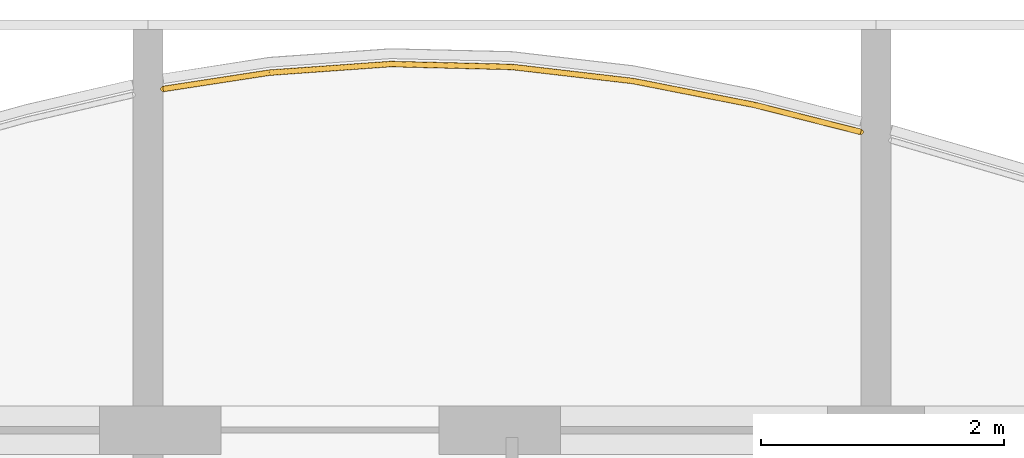
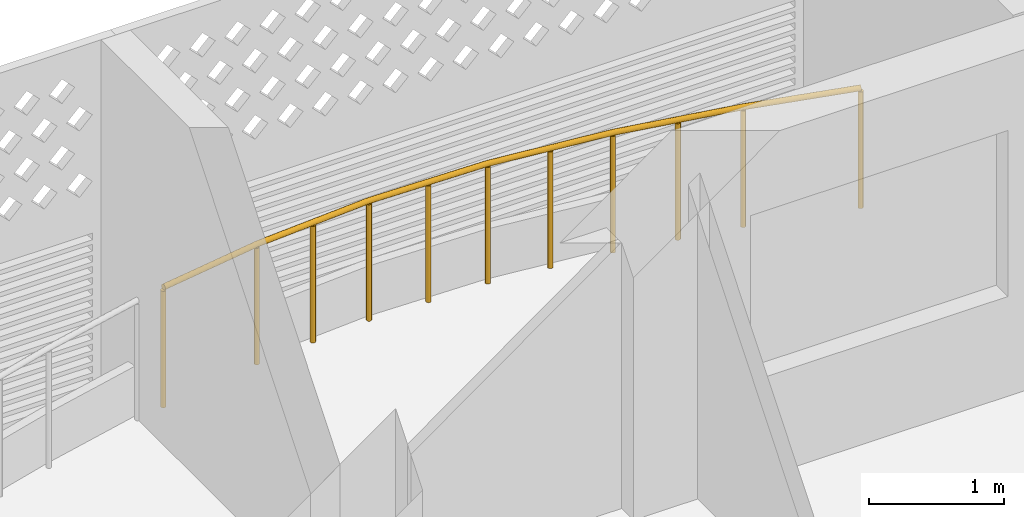
# One storey, part 25 of 28: 1 railing.
"""IFC4 building model written with IfcOpenShell, lengths in metres."""

from ifc_helpers import new_model, si_unit, direction, frame, origin, origin_2d, place, context, subcontext, project, spatial, circle, extrude, material, type_object, element, save


model = new_model("IFC4")

# Units and contexts
model_context = context("Model", 3, precision=1e-05, world=origin(), true_north=direction((0.0, 1.0)))
body_context = subcontext(model_context, "Body", "Model", "MODEL_VIEW")
ifc_project = project(units=[si_unit("LENGTHUNIT", "METRE"), si_unit("AREAUNIT", "SQUARE_METRE"), si_unit("VOLUMEUNIT", "CUBIC_METRE"), si_unit("PLANEANGLEUNIT", "RADIAN"), si_unit("MASSUNIT", "GRAM", prefix="KILO")], contexts=[model_context])

# Site, building, storey
site_placement = place(None, origin())
site = spatial("IfcSite", under=ifc_project, at=site_placement, CompositionType="ELEMENT")
building_placement = place(site_placement, origin())
building = spatial("IfcBuilding", under=site, at=building_placement, Name="Poui Terraces", CompositionType="ELEMENT")
storey_placement = place(building_placement, frame((0.0, 0.0, 181.800048828125)))
storey = spatial("IfcBuildingStorey", under=building, at=storey_placement, Name="L50", CompositionType="ELEMENT", Elevation=181.800048828125)

# Railing
ifc_material = material(Name="Painted steel fretwork", Category="steel")
railing_type = type_object("IfcRailingType", Name="BALCONY GUARD 1100", PredefinedType="GUARDRAIL", material=ifc_material)
railing_placement = place(storey_placement, frame((66.125, 44.011474609375, 0.0)))
element("IfcRailing", 1, at=railing_placement, inside=storey, type_object=railing_type, Name="BALCONY GUARD", PredefinedType="GUARDRAIL", context=body_context, shape_type="SweptSolid", body=[
    extrude(circle(Radius=0.02392578125, at=origin_2d()), frame((0.0, 0.0, 1.076171875), z_axis=(0.988387633133, 0.151953567482, 0.0), x_axis=(-0.151953567482, 0.988387633133, 0.0)), (0.0, 0.0, 1.0), 0.88525390625),
    extrude(circle(Radius=0.02392578125, at=origin_2d()), frame((0.875, 0.134521484375, 1.076171875), z_axis=(0.997485823051, 0.07086630237, 0.0), x_axis=(-0.07086630237, 0.997485823051, 0.0)), (0.0, 0.0, 1.0), 1.00244140625),
    extrude(circle(Radius=0.02392578125, at=origin_2d()), frame((1.875, 0.20556640625, 1.076171875), z_axis=(0.999713901321, -0.023918936116, 0.0), x_axis=(0.023918936116, 0.999713901321, 0.0)), (0.0, 0.0, 1.0), 1.000244140625),
    extrude(circle(Radius=0.02392578125, at=origin_2d()), frame((2.875, 0.181640625, 1.076171875), z_axis=(0.993315142472, -0.11543408394, 0.0), x_axis=(0.11543408394, 0.993315142472, 0.0)), (0.0, 0.0, 1.0), 1.0068359375),
    extrude(circle(Radius=0.02392578125, at=origin_2d()), frame((3.875, 0.0654296875, 1.076171875), z_axis=(0.981138637459, -0.19330539073, 0.0), x_axis=(0.19330539073, 0.981138637459, 0.0)), (0.0, 0.0, 1.0), 1.019287109375),
    extrude(circle(Radius=0.02392578125, at=origin_2d()), frame((4.875, -0.131591796875, 1.076171875), z_axis=(0.969245105532, -0.246097390076, 0.0), x_axis=(0.246097390076, 0.969245105532, 0.0)), (0.0, 0.0, 1.0), 0.90283203125),
    extrude(circle(Radius=0.02099609375, at=origin_2d()), origin(), (0.0, 0.0, 1.0), 1.052001953125),
    extrude(circle(Radius=0.02099609375, at=origin_2d()), frame((0.875, 0.134521484375, 0.0)), (0.0, 0.0, 1.0), 1.052001953125),
    extrude(circle(Radius=0.02099609375, at=origin_2d()), frame((1.375, 0.169921875, 0.0)), (0.0, 0.0, 1.0), 1.052001953125),
    extrude(circle(Radius=0.02099609375, at=origin_2d()), frame((1.875, 0.20556640625, 0.0)), (0.0, 0.0, 1.0), 1.052001953125),
    extrude(circle(Radius=0.02099609375, at=origin_2d()), frame((2.375, 0.193603515625, 0.0)), (0.0, 0.0, 1.0), 1.052001953125),
    extrude(circle(Radius=0.02099609375, at=origin_2d()), frame((2.875, 0.181640625, 0.0)), (0.0, 0.0, 1.0), 1.052001953125),
    extrude(circle(Radius=0.02099609375, at=origin_2d()), frame((3.375, 0.12353515625, 0.0)), (0.0, 0.0, 1.0), 1.052001953125),
    extrude(circle(Radius=0.02099609375, at=origin_2d()), frame((3.875, 0.0654296875, 0.0)), (0.0, 0.0, 1.0), 1.052001953125),
    extrude(circle(Radius=0.02099609375, at=origin_2d()), frame((4.375, -0.033203125, 0.0)), (0.0, 0.0, 1.0), 1.052001953125),
    extrude(circle(Radius=0.02099609375, at=origin_2d()), frame((4.875, -0.131591796875, 0.0)), (0.0, 0.0, 1.0), 1.052001953125),
    extrude(circle(Radius=0.02099609375, at=origin_2d()), frame((5.75, -0.353759765625, 0.0)), (0.0, 0.0, 1.0), 1.052001953125),
])

save(model, "model.ifc")
